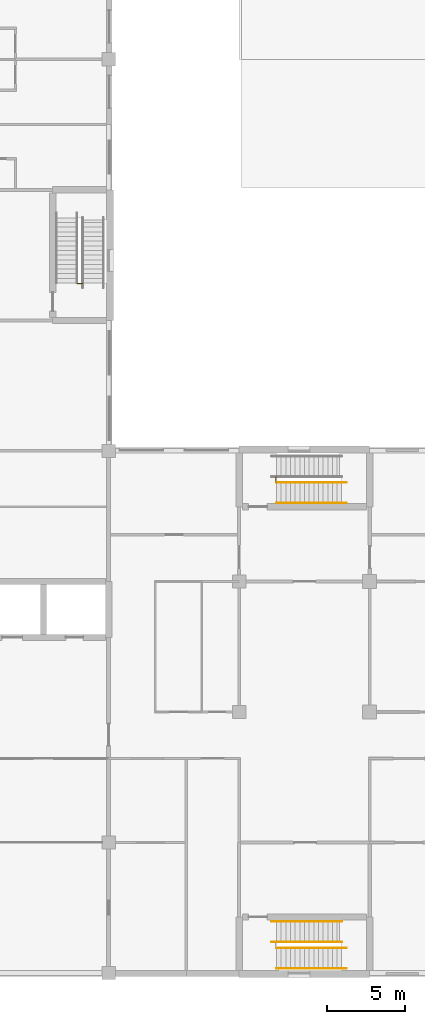
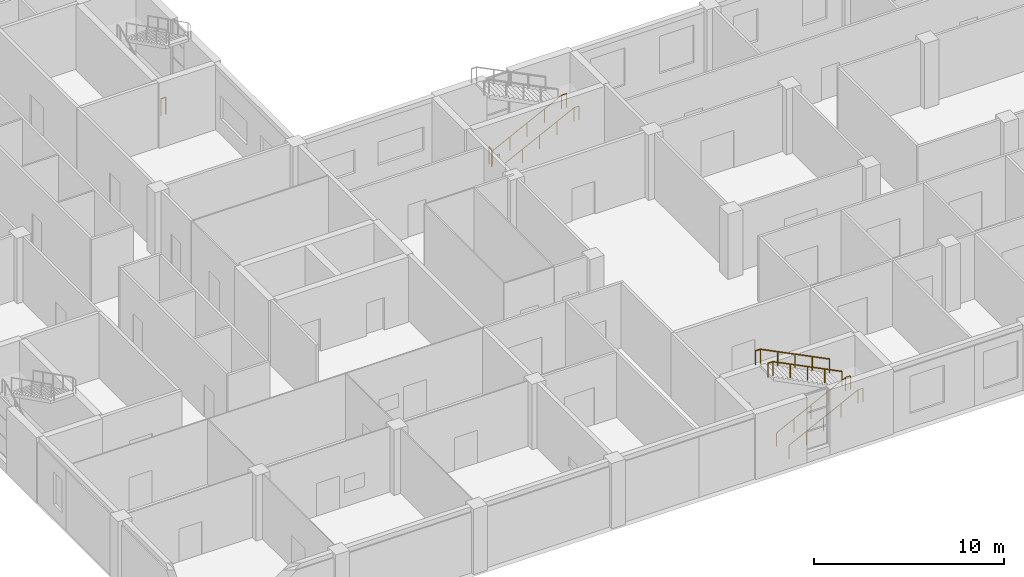
# One storey, part 58 of 66: 8 railings.
"""IFC4 building model written with IfcOpenShell, lengths in metres."""

from ifc_helpers import new_model, si_unit, direction, frame, origin, origin_2d, place, context, subcontext, project, spatial, circle, extrude, material, type_object, element, save


model = new_model("IFC4")

# Units and contexts
model_context = context("Model", 3, precision=1e-05, world=origin(), true_north=direction((0.0, 1.0)))
body_context = subcontext(model_context, "Body", "Model", "MODEL_VIEW")
ifc_project = project(units=[si_unit("LENGTHUNIT", "METRE"), si_unit("AREAUNIT", "SQUARE_METRE"), si_unit("VOLUMEUNIT", "CUBIC_METRE"), si_unit("PLANEANGLEUNIT", "RADIAN"), si_unit("MASSUNIT", "GRAM", prefix="KILO")], contexts=[model_context])

# Site, building, storey
site_placement = place(None, origin())
site = spatial("IfcSite", under=ifc_project, at=site_placement, CompositionType="ELEMENT")
building_placement = place(site_placement, origin())
building = spatial("IfcBuilding", under=site, at=building_placement, Name="Yavir Park General Hospital", CompositionType="ELEMENT")
storey_placement = place(building_placement, frame((0.0, 0.0, 8.39990234375)))
storey = spatial("IfcBuildingStorey", under=building, at=storey_placement, Name="L02", CompositionType="ELEMENT", Elevation=8.39990234375)

# Railings
ifc_material_1 = material(Name="Steel balustrade with infill rods", Category="steel")
railing_type_1 = type_object("IfcRailingType", Name="Stair guard, steel balustrade 1100 mm", PredefinedType="GUARDRAIL", material=ifc_material_1)
railing_1_placement = place(storey_placement, frame((35.969970703125, 31.60009765625, 0.0)))
element("IfcRailing", 1, at=railing_1_placement, inside=storey, type_object=railing_type_1, Name="Stair well guard PN1 L02", PredefinedType="GUARDRAIL", context=body_context, shape_type="SweptSolid", body=[
    extrude(circle(Radius=0.02392578125, at=origin_2d()), frame((0.0, 0.0, 1.076171875), z_axis=(0.0, 1.0, 0.0), x_axis=(-1.0, 0.0, 0.0)), (0.0, 0.0, 1.0), 0.2998046875),
    extrude(circle(Radius=0.02099609375, at=origin_2d()), origin(), (0.0, 0.0, 1.0), 1.052001953125),
    extrude(circle(Radius=0.02099609375, at=origin_2d()), frame((0.0, 0.2998046875, 0.0)), (0.0, 0.0, 1.0), 1.052001953125),
])
railing_2_placement = place(storey_placement, frame((23.199951171875, 44.3701171875, 0.0)))
element("IfcRailing", 2, at=railing_2_placement, inside=storey, type_object=railing_type_1, Name="Stair well guard SW1 L02", PredefinedType="GUARDRAIL", context=body_context, shape_type="SweptSolid", body=[
    extrude(circle(Radius=0.02392578125, at=origin_2d()), frame((0.0, 0.0, 1.076171875), z_axis=(1.0, 0.0, 0.0), x_axis=(0.0, 1.0, 0.0)), (0.0, 0.0, 1.0), 0.300048828125),
    extrude(circle(Radius=0.02099609375, at=origin_2d()), origin(), (0.0, 0.0, 1.0), 1.052001953125),
    extrude(circle(Radius=0.02099609375, at=origin_2d()), frame((0.300048828125, 0.0, 0.0)), (0.0, 0.0, 1.0), 1.052001953125),
])
ifc_material_2 = material(Name="Stainless steel tube 48 mm", Category="steel")
railing_type_2 = type_object("IfcRailingType", Name="Stair handrail, steel tube, 900 mm above the nosings", PredefinedType="HANDRAIL", material=ifc_material_2)
for number, where, name in (
    (3, (36.0, 0.2900390625, 0.150146484375), "Handrail SU2 L02 1"),
    (4, (36.0, 1.610107421875, 0.150146484375), "Handrail SU2 L02 2"),
):
    element("IfcRailing", number, at=place(storey_placement, frame(where)), inside=storey, type_object=railing_type_2, Name=name, PredefinedType="HANDRAIL", context=body_context, shape_type="SweptSolid", body=[
        extrude(circle(Radius=0.02392578125, at=origin_2d()), frame((0.0, 0.0, 0.8759765625), z_axis=(0.894437589381, 0.0, 0.447192798132), x_axis=(0.0, 1.0, 0.0)), (0.0, 0.0, 1.0), 4.695556640625),
        extrude(circle(Radius=0.02392578125, at=origin_2d()), frame((4.199951171875, 0.0, 2.9755859375), z_axis=(1.0, 0.0, 0.0), x_axis=(0.0, 1.0, 0.0)), (0.0, 0.0, 1.0), 0.300048828125),
        extrude(circle(Radius=0.02099609375, at=origin_2d()), origin(), (0.0, 0.0, 1.0), 0.851806640625),
        extrude(circle(Radius=0.02099609375, at=origin_2d()), frame((1.050048828125, 0.0, 0.52490234375)), (0.0, 0.0, 1.0), 0.851806640625),
        extrude(circle(Radius=0.02099609375, at=origin_2d()), frame((2.10009765625, 0.0, 1.0498046875)), (0.0, 0.0, 1.0), 0.851806640625),
        extrude(circle(Radius=0.02099609375, at=origin_2d()), frame((3.14990234375, 0.0, 1.574951171875)), (0.0, 0.0, 1.0), 0.851806640625),
        extrude(circle(Radius=0.02099609375, at=origin_2d()), frame((4.199951171875, 0.0, 2.099853515625)), (0.0, 0.0, 1.0), 0.851806640625),
        extrude(circle(Radius=0.02099609375, at=origin_2d()), frame((4.5, 0.0, 2.099853515625)), (0.0, 0.0, 1.0), 0.851806640625),
    ])
for number, where, name in (
    (5, (40.199951171875, 3.31005859375, 2.400146484375), "Handrail SU2 L02 3"),
    (6, (40.199951171875, 1.989990234375, 2.400146484375), "Handrail SU2 L02 4"),
):
    element("IfcRailing", number, at=place(storey_placement, frame(where)), inside=storey, type_object=railing_type_2, Name=name, PredefinedType="HANDRAIL", context=body_context, shape_type="SweptSolid", body=[
        extrude(circle(Radius=0.02392578125, at=origin_2d()), frame((0.0, 0.0, 0.8759765625), z_axis=(-0.894437589381, 0.0, 0.447192798132), x_axis=(0.0, -1.0, 0.0)), (0.0, 0.0, 1.0), 4.695556640625),
        extrude(circle(Radius=0.02392578125, at=origin_2d()), frame((-4.199951171875, 0.0, 2.9755859375), z_axis=(-1.0, 0.0, 0.0), x_axis=(0.0, -1.0, 0.0)), (0.0, 0.0, 1.0), 0.300048828125),
        extrude(circle(Radius=0.02099609375, at=origin_2d()), origin(), (0.0, 0.0, 1.0), 0.851806640625),
        extrude(circle(Radius=0.02099609375, at=origin_2d()), frame((-1.050048828125, 0.0, 0.52490234375)), (0.0, 0.0, 1.0), 0.851806640625),
        extrude(circle(Radius=0.02099609375, at=origin_2d()), frame((-2.10009765625, 0.0, 1.0498046875)), (0.0, 0.0, 1.0), 0.851806640625),
        extrude(circle(Radius=0.02099609375, at=origin_2d()), frame((-3.14990234375, 0.0, 1.574951171875)), (0.0, 0.0, 1.0), 0.851806640625),
        extrude(circle(Radius=0.02099609375, at=origin_2d()), frame((-4.199951171875, 0.0, 2.099853515625)), (0.0, 0.0, 1.0), 0.851806640625),
        extrude(circle(Radius=0.02099609375, at=origin_2d()), frame((-4.5, 0.0, 2.099853515625)), (0.0, 0.0, 1.0), 0.851806640625),
    ])
for number, where, name in (
    (7, (36.0, 30.239990234375, 0.150146484375), "Handrail PN1 L02 1"),
    (8, (36.0, 31.56005859375, 0.150146484375), "Handrail PN1 L02 2"),
):
    element("IfcRailing", number, at=place(storey_placement, frame(where)), inside=storey, type_object=railing_type_2, Name=name, PredefinedType="HANDRAIL", context=body_context, shape_type="SweptSolid", body=[
        extrude(circle(Radius=0.02392578125, at=origin_2d()), frame((0.0, 0.0, 0.8759765625), z_axis=(0.894437589381, 0.0, 0.447192798132), x_axis=(0.0, 1.0, 0.0)), (0.0, 0.0, 1.0), 4.695556640625),
        extrude(circle(Radius=0.02392578125, at=origin_2d()), frame((4.199951171875, 0.0, 2.9755859375), z_axis=(1.0, 0.0, 0.0), x_axis=(0.0, 1.0, 0.0)), (0.0, 0.0, 1.0), 0.300048828125),
        extrude(circle(Radius=0.02099609375, at=origin_2d()), origin(), (0.0, 0.0, 1.0), 0.851806640625),
        extrude(circle(Radius=0.02099609375, at=origin_2d()), frame((1.050048828125, 0.0, 0.52490234375)), (0.0, 0.0, 1.0), 0.851806640625),
        extrude(circle(Radius=0.02099609375, at=origin_2d()), frame((2.10009765625, 0.0, 1.0498046875)), (0.0, 0.0, 1.0), 0.851806640625),
        extrude(circle(Radius=0.02099609375, at=origin_2d()), frame((3.14990234375, 0.0, 1.574951171875)), (0.0, 0.0, 1.0), 0.851806640625),
        extrude(circle(Radius=0.02099609375, at=origin_2d()), frame((4.199951171875, 0.0, 2.099853515625)), (0.0, 0.0, 1.0), 0.851806640625),
        extrude(circle(Radius=0.02099609375, at=origin_2d()), frame((4.5, 0.0, 2.099853515625)), (0.0, 0.0, 1.0), 0.851806640625),
    ])

save(model, "model.ifc")
